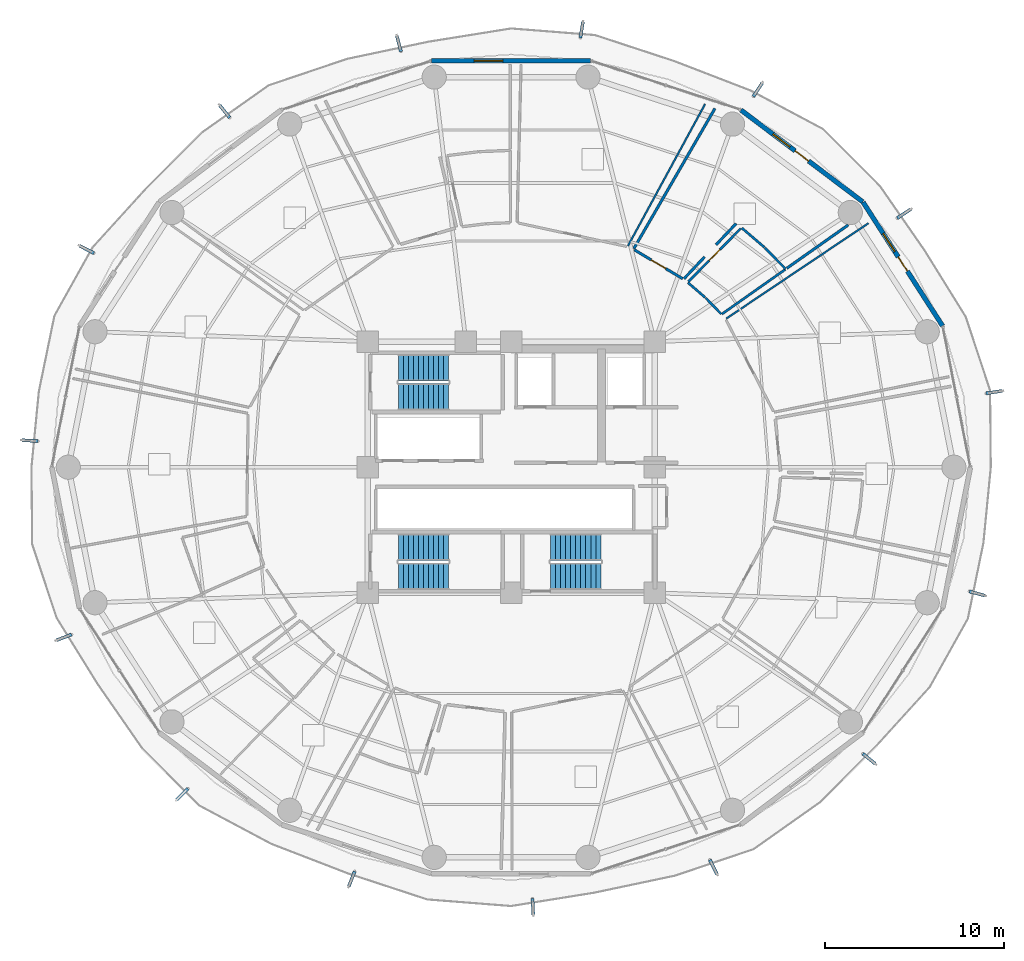
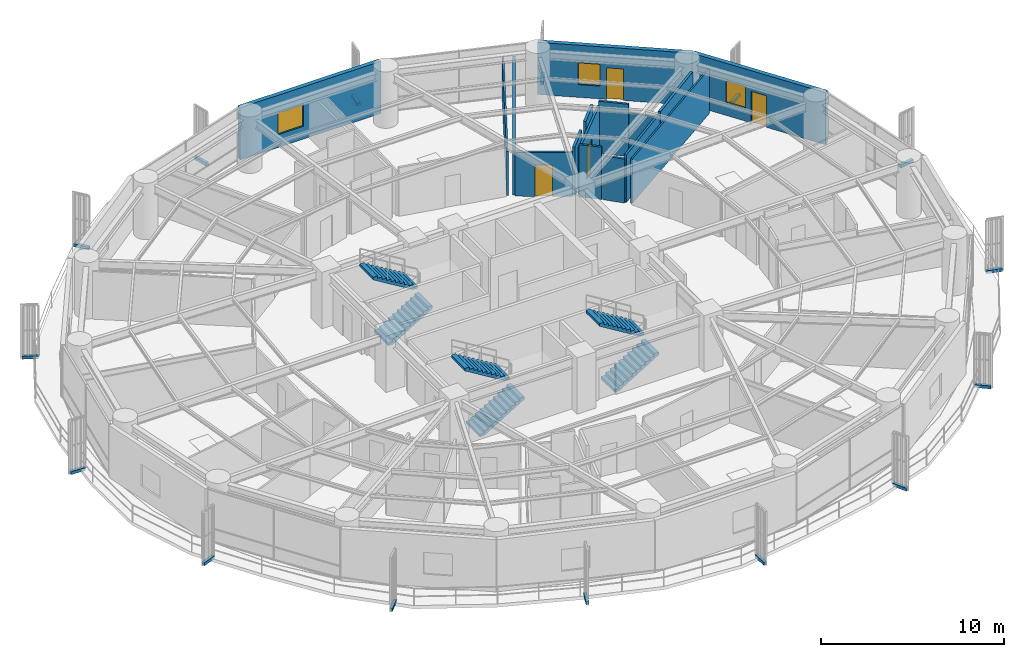
# One storey, part 32 of 35: 16 walls, 15 discrete accessories, 6 stair flights, 4 doors, 3 windows, 7 openings, 3 elements without a shape of their own.
"""IFC4 building model written with IfcOpenShell, lengths in metres."""

from ifc_helpers import new_model, si_unit, direction, frame, frame_2d, origin, origin_2d, place, context, subcontext, project, spatial, polyline, rectangle, outline, extrude, source, transform, mapped, material, layer, layer_set, type_object, element, fill, aggregate, save


model = new_model("IFC4")

# Units and contexts
model_context = context("Model", 3, precision=1e-05, world=origin(), true_north=direction((0.0, 1.0)))
body_context = subcontext(model_context, "Body", "Model", "MODEL_VIEW")
ifc_project = project(units=[si_unit("LENGTHUNIT", "METRE"), si_unit("AREAUNIT", "SQUARE_METRE"), si_unit("VOLUMEUNIT", "CUBIC_METRE"), si_unit("PLANEANGLEUNIT", "RADIAN"), si_unit("MASSUNIT", "GRAM", prefix="KILO")], contexts=[model_context])

# Site, building, storey
site_placement = place(None, origin())
site = spatial("IfcSite", under=ifc_project, at=site_placement, CompositionType="ELEMENT")
building_placement = place(site_placement, origin())
building = spatial("IfcBuilding", under=site, at=building_placement, Name="Kelanora Arch Commons", CompositionType="ELEMENT")
storey_placement = place(building_placement, frame((0.0, 0.0, 117.60009765625)))
storey = spatial("IfcBuildingStorey", under=building, at=storey_placement, Name="L30", CompositionType="ELEMENT", Elevation=117.60009765625)

# Wall, opening, door
ifc_material_1 = material(Name="Autoclaved aerated concrete blockwork with fire plaster", Category="masonry")
ifc_layer_1 = layer(ifc_material_1, 0.14990234375)
ifc_layer_set_1 = layer_set([ifc_layer_1], Name="Autoclaved aerated concrete blockwork with fire plaster")
wall_type_1 = type_object("IfcWallType", Name="W-COMP-150", PredefinedType="PARTITIONING", material=ifc_layer_set_1)
wall_1_placement = place(storey_placement, frame((83.5595703125, 68.509765625, 0.0), z_axis=(0.0, 0.0, 1.0), x_axis=(-0.858523244826, 0.512774646501, 0.0)))
wall_1 = element("IfcWall", 1, at=wall_1_placement, inside=storey, type_object=wall_type_1, Name="Co-Living Studio L30-01 Entry Partition", PredefinedType="PARTITIONING", context=body_context, shape_type="SweptSolid", body=[
    extrude(rectangle(XDim=3.130859375, YDim=0.14990234375, at=frame_2d((1.5654296875, 0.0))), origin(), (0.0, 0.0, 1.0), 2.9248046875),
])
opening_1_placement = place(wall_1_placement, frame((1.090087890625, 0.0, 0.0)))
opening_1 = element("IfcOpeningElement", 2, at=opening_1_placement, cuts=wall_1, Name="Opening D-CLU1", PredefinedType="OPENING", context=body_context, shape_type="SweptSolid", body=[
    extrude(rectangle(XDim=0.949951171875, YDim=2.080078125, at=frame_2d((0.47509765625, 1.0400390625))), frame((0.0, 0.0849609375, 0.0), z_axis=(0.0, -1.0, 0.0), x_axis=(1.0, 0.0, 0.0)), (0.0, 0.0, 1.0), 0.169921875),
])
ifc_material_2 = material(Name="Solid-core acoustic timber cluster entry fire door", Category="wood")
door_type_1 = type_object("IfcDoorType", Name="D-CLU-95", OperationType="NOTDEFINED", PredefinedType="DOOR", material=ifc_material_2)
door_1_placement = place(opening_1_placement, origin())
door_1 = element("IfcDoor", 3, at=door_1_placement, inside=storey, type_object=door_type_1, Name="Co-Living Studio L30-01 Door", OperationType="SINGLE_SWING_RIGHT", OverallHeight=2.080078125, OverallWidth=0.949951171875, PredefinedType="DOOR", context=body_context, shape_type="SweptSolid", body=[
    extrude(rectangle(XDim=0.949951171875, YDim=2.080078125, at=frame_2d((0.47509765625, 1.0400390625))), frame((0.0, 0.02490234375, 0.0), z_axis=(0.0, -1.0, 0.0), x_axis=(1.0, 0.0, 0.0)), (0.0, 0.0, 1.0), 0.050048828125),
])
fill(opening_1, door_1)

# Walls
wall_2_placement = place(storey_placement, frame((80.840087890625, 70.1806640625, 0.0), z_axis=(0.0, 0.0, 1.0), x_axis=(0.500668535271, 0.865639080558, 0.0)))
element("IfcWall", 4, at=wall_2_placement, inside=storey, type_object=wall_type_1, Name="Co-Living Studio L30-01 Enclosure Partition 2", PredefinedType="PARTITIONING", context=body_context, shape_type="SweptSolid", body=[
    extrude(rectangle(XDim=9.030029296875, YDim=0.14990234375, at=frame_2d((4.51513671875, 0.0))), origin(), (0.0, 0.0, 1.0), 2.9248046875),
])
wall_3_placement = place(storey_placement, frame((92.789794921875, 71.50244140625, 0.0), z_axis=(0.0, 0.0, 1.0), x_axis=(-0.817102044885, -0.576493060015, 0.0)))
element("IfcWall", 5, at=wall_3_placement, inside=storey, type_object=wall_type_1, Name="Co-Living Studio L30-01 Enclosure Partition 5", PredefinedType="PARTITIONING", context=body_context, shape_type="SweptSolid", body=[
    extrude(rectangle(XDim=4.1845703125, YDim=0.14990234375, at=frame_2d((2.09228515625, 0.0))), origin(), (0.0, 0.0, 1.0), 3.23486328125),
])
wall_4_placement = place(storey_placement, frame((86.53955078125, 71.579833984375, 0.0), z_axis=(0.0, 0.0, 1.0), x_axis=(-0.68661474407, -0.727021453071, 0.0)))
element("IfcWall", 6, at=wall_4_placement, inside=storey, type_object=wall_type_1, Name="Co-Living Studio L30-01 Enclosure Partition 7", PredefinedType="PARTITIONING", context=body_context, shape_type="SweptSolid", body=[
    extrude(rectangle(XDim=1.63134765625, YDim=0.14990234375, at=frame_2d((0.815673828125, 0.0))), origin(), (0.0, 0.0, 1.0), 3.1748046875),
])
wall_5_placement = place(storey_placement, frame((84.78759765625, 69.724853515625, 0.0), z_axis=(0.0, 0.0, 1.0), x_axis=(-0.686614966265, -0.727021243226, 0.0)))
element("IfcWall", 7, at=wall_5_placement, inside=storey, type_object=wall_type_1, Name="Co-Living Studio L30-01 Enclosure Partition 7", PredefinedType="PARTITIONING", context=body_context, shape_type="SweptSolid", body=[
    extrude(rectangle(XDim=1.673583984375, YDim=0.14990234375, at=frame_2d((0.8369140625, 0.0))), origin(), (0.0, 0.0, 1.0), 3.23486328125),
])

# Wall, openings, door, window
ifc_material_3 = material(Name="Precast concrete C40/50 with terracotta rainscreen", Category="masonry")
ifc_layer_2 = layer(ifc_material_3, 0.260009765625)
ifc_layer_set_2 = layer_set([ifc_layer_2], Name="Precast concrete C40/50 with terracotta rainscreen")
wall_type_2 = type_object("IfcWallType", Name="W-EXT-TC", PredefinedType="SOLIDWALL", material=ifc_layer_set_2)
wall_6_placement = place(storey_placement, frame((98.048095703125, 65.879150390625, 0.0), z_axis=(0.0, 0.0, 1.0), x_axis=(-0.540620528459, 0.841266571432, 0.0)))
wall_6 = element("IfcWall", 8, at=wall_6_placement, inside=storey, type_object=wall_type_2, Name="Terracotta Exterior Wall L30-B01", PredefinedType="SOLIDWALL", context=body_context, shape_type="SweptSolid", body=[
    extrude(rectangle(XDim=8.19287109375, YDim=0.260009765625, at=frame_2d((4.096435546875, 0.0))), origin(), (0.0, 0.0, 1.0), 3.474853515625),
])
opening_2_placement = place(wall_6_placement, frame((3.62109375, 0.0, 0.0)))
opening_2 = element("IfcOpeningElement", 9, at=opening_2_placement, cuts=wall_6, Name="Opening DB-01", PredefinedType="OPENING", context=body_context, shape_type="SweptSolid", body=[
    extrude(rectangle(XDim=0.949951171875, YDim=2.10009765625, at=frame_2d((0.47509765625, 1.050048828125))), frame((0.0, 0.14013671875, 0.0), z_axis=(0.0, -1.0, 0.0), x_axis=(1.0, 0.0, 0.0)), (0.0, 0.0, 1.0), 0.280029296875),
])
opening_3_placement = place(wall_6_placement, frame((4.9208984375, 0.0, 0.85009765625)))
opening_3 = element("IfcOpeningElement", 10, at=opening_3_placement, cuts=wall_6, Name="Opening WN-02", PredefinedType="OPENING", context=body_context, shape_type="SweptSolid", body=[
    extrude(rectangle(XDim=1.199951171875, YDim=1.449951171875, at=frame_2d((0.60009765625, 0.72509765625))), frame((0.0, 0.14013671875, 0.0), z_axis=(0.0, -1.0, 0.0), x_axis=(1.0, 0.0, 0.0)), (0.0, 0.0, 1.0), 0.280029296875),
])
ifc_material_4 = material(Name="Terracotta-aluminium thermally broken glazed balcony door", Category="masonry")
door_type_2 = type_object("IfcDoorType", Name="D-BAL-10", OperationType="NOTDEFINED", PredefinedType="DOOR", material=ifc_material_4)
door_2_placement = place(opening_2_placement, frame((0.949951171875, 0.0, 0.0), z_axis=(0.0, 0.0, 1.0), x_axis=(-1.0, 0.0, 0.0)))
door_2 = element("IfcDoor", 11, at=door_2_placement, inside=storey, type_object=door_type_2, Name="Wave Balcony Door L30-B01", OperationType="SINGLE_SWING_RIGHT", OverallHeight=2.10009765625, OverallWidth=0.949951171875, PredefinedType="DOOR", context=body_context, shape_type="SweptSolid", body=[
    extrude(rectangle(XDim=0.949951171875, YDim=2.10009765625, at=frame_2d((0.47509765625, 1.050048828125))), frame((0.0, 0.02490234375, 0.0), z_axis=(0.0, -1.0, 0.0), x_axis=(1.0, 0.0, 0.0)), (0.0, 0.0, 1.0), 0.050048828125),
])
fill(opening_2, door_2)
ifc_material_5 = material(Name="Terracotta-anodised aluminium frame with operable awning sash", Category="masonry")
window_type_1 = type_object("IfcWindowType", Name="WIN-CL-12", PartitioningType="SINGLE_PANEL", PredefinedType="WINDOW", material=ifc_material_5)
window_1_placement = place(opening_3_placement, origin())
window_1 = element("IfcWindow", 12, at=window_1_placement, inside=storey, type_object=window_type_1, Name="Co-Living Operable Window L30-B01", OverallHeight=1.449951171875, OverallWidth=1.199951171875, PartitioningType="SINGLE_PANEL", PredefinedType="WINDOW", context=body_context, shape_type="SweptSolid", body=[
    extrude(rectangle(XDim=1.199951171875, YDim=1.449951171875, at=frame_2d((0.60009765625, 0.72509765625))), frame((0.0, 0.030029296875, 0.0), z_axis=(0.0, -1.0, 0.0), x_axis=(1.0, 0.0, 0.0)), (0.0, 0.0, 1.0), 0.06005859375),
])
fill(opening_3, window_1)

wall_7_placement = place(storey_placement, frame((93.5986328125, 72.793212890625, 0.0), z_axis=(0.0, 0.0, 1.0), x_axis=(-0.798501507879, 0.601992808857, 0.0)))
wall_7 = element("IfcWall", 13, at=wall_7_placement, inside=storey, type_object=wall_type_2, Name="Terracotta Exterior Wall L30-B02", PredefinedType="SOLIDWALL", context=body_context, shape_type="SweptSolid", body=[
    extrude(rectangle(XDim=8.499267578125, YDim=0.260009765625, at=frame_2d((4.24951171875, 0.0))), origin(), (0.0, 0.0, 1.0), 3.474853515625),
])
opening_4_placement = place(wall_7_placement, frame((3.77490234375, 0.0, 0.0)))
opening_4 = element("IfcOpeningElement", 14, at=opening_4_placement, cuts=wall_7, Name="Opening DB-01", PredefinedType="OPENING", context=body_context, shape_type="SweptSolid", body=[
    extrude(rectangle(XDim=0.949951171875, YDim=2.10009765625, at=frame_2d((0.47509765625, 1.050048828125))), frame((0.0, 0.14013671875, 0.0), z_axis=(0.0, -1.0, 0.0), x_axis=(1.0, 0.0, 0.0)), (0.0, 0.0, 1.0), 0.280029296875),
])
opening_5_placement = place(wall_7_placement, frame((5.074951171875, 0.0, 0.85009765625)))
opening_5 = element("IfcOpeningElement", 15, at=opening_5_placement, cuts=wall_7, Name="Opening WN-02", PredefinedType="OPENING", context=body_context, shape_type="SweptSolid", body=[
    extrude(rectangle(XDim=1.199951171875, YDim=1.449951171875, at=frame_2d((0.60009765625, 0.72509765625))), frame((0.0, 0.14013671875, 0.0), z_axis=(0.0, -1.0, 0.0), x_axis=(1.0, 0.0, 0.0)), (0.0, 0.0, 1.0), 0.280029296875),
])
door_3_placement = place(opening_4_placement, frame((0.949951171875, 0.0, 0.0), z_axis=(0.0, 0.0, 1.0), x_axis=(-1.0, 0.0, 0.0)))
door_3 = element("IfcDoor", 16, at=door_3_placement, inside=storey, type_object=door_type_2, Name="Wave Balcony Door L30-B02", OperationType="SINGLE_SWING_LEFT", OverallHeight=2.10009765625, OverallWidth=0.949951171875, PredefinedType="DOOR", context=body_context, shape_type="SweptSolid", body=[
    extrude(rectangle(XDim=0.949951171875, YDim=2.10009765625, at=frame_2d((0.47509765625, 1.050048828125))), frame((0.0, 0.02490234375, 0.0), z_axis=(0.0, -1.0, 0.0), x_axis=(1.0, 0.0, 0.0)), (0.0, 0.0, 1.0), 0.050048828125),
])
fill(opening_4, door_3)
window_2_placement = place(opening_5_placement, origin())
window_2 = element("IfcWindow", 17, at=window_2_placement, inside=storey, type_object=window_type_1, Name="Co-Living Operable Window L30-B02", OverallHeight=1.449951171875, OverallWidth=1.199951171875, PartitioningType="SINGLE_PANEL", PredefinedType="WINDOW", context=body_context, shape_type="SweptSolid", body=[
    extrude(rectangle(XDim=1.199951171875, YDim=1.449951171875, at=frame_2d((0.60009765625, 0.72509765625))), frame((0.0, 0.030029296875, 0.0), z_axis=(0.0, -1.0, 0.0), x_axis=(1.0, 0.0, 0.0)), (0.0, 0.0, 1.0), 0.06005859375),
])
fill(opening_5, window_2)

# Wall, opening, window
wall_8_placement = place(storey_placement, frame((78.430419921875, 80.650634765625, 0.0), z_axis=(0.0, 0.0, 1.0), x_axis=(-1.0, 0.0, 0.0)))
wall_8 = element("IfcWall", 18, at=wall_8_placement, inside=storey, type_object=wall_type_2, Name="Terracotta Exterior Wall L30-B04", PredefinedType="SOLIDWALL", context=body_context, shape_type="SweptSolid", body=[
    extrude(rectangle(XDim=8.86083984375, YDim=0.260009765625, at=frame_2d((4.430419921875, 0.0))), origin(), (0.0, 0.0, 1.0), 3.474853515625),
])
opening_6_placement = place(wall_8_placement, frame((4.889892578125, 0.0, 0.85009765625)))
opening_6 = element("IfcOpeningElement", 19, at=opening_6_placement, cuts=wall_8, Name="Opening WN-01", PredefinedType="OPENING", context=body_context, shape_type="SweptSolid", body=[
    extrude(rectangle(XDim=1.60009765625, YDim=1.449951171875, at=frame_2d((0.800048828125, 0.72509765625))), frame((0.0, 0.14013671875, 0.0), z_axis=(0.0, -1.0, 0.0), x_axis=(1.0, 0.0, 0.0)), (0.0, 0.0, 1.0), 0.280029296875),
])
ifc_material_6 = material(Name="Terracotta-anodised aluminium frame with operable low-E glazing", Category="masonry")
window_type_2 = type_object("IfcWindowType", Name="WIN-CL-18", PartitioningType="DOUBLE_PANEL_VERTICAL", PredefinedType="WINDOW", material=ifc_material_6)
window_3_placement = place(opening_6_placement, origin())
window_3 = element("IfcWindow", 20, at=window_3_placement, inside=storey, type_object=window_type_2, Name="Co-Living Operable Window L30-B04", OverallHeight=1.449951171875, OverallWidth=1.60009765625, PartitioningType="SINGLE_PANEL", PredefinedType="WINDOW", context=body_context, shape_type="SweptSolid", body=[
    extrude(rectangle(XDim=1.60009765625, YDim=1.449951171875, at=frame_2d((0.800048828125, 0.72509765625))), frame((0.0, 0.030029296875, 0.0), z_axis=(0.0, -1.0, 0.0), x_axis=(1.0, 0.0, 0.0)), (0.0, 0.0, 1.0), 0.06005859375),
])
fill(opening_6, window_3)

# Walls
ifc_material_7 = material(Name="Lightweight fire-rated acoustic stud partition")
ifc_layer_3 = layer(ifc_material_7, 0.10009765625)
ifc_layer_set_3 = layer_set([ifc_layer_3], Name="Lightweight fire-rated acoustic stud partition")
wall_type_3 = type_object("IfcWallType", Name="W-PART-100", PredefinedType="PARTITIONING", material=ifc_layer_set_3)
wall_9_placement = place(storey_placement, frame((84.81201171875, 78.240966796875, 0.0), z_axis=(0.0, 0.0, 1.0), x_axis=(-0.477645693392, -0.878552554822, 0.0)))
element("IfcWall", 21, at=wall_9_placement, inside=storey, type_object=wall_type_3, Name="Communal Dining and Social Hall L30-02 Enclosure Partition 4", PredefinedType="PARTITIONING", context=body_context, shape_type="SweptSolid", body=[
    extrude(rectangle(XDim=9.006591796875, YDim=0.10009765625, at=frame_2d((4.50341796875, 0.0))), origin(), (0.0, 0.0, 1.0), 2.9248046875),
])
wall_10_placement = place(storey_placement, frame((85.9892578125, 66.2822265625, 0.0), z_axis=(0.0, 0.0, 1.0), x_axis=(0.830433607217, 0.557117603388, 0.0)))
element("IfcWall", 22, at=wall_10_placement, inside=storey, type_object=wall_type_3, Name="Communal Dining and Social Hall L30-14 Enclosure Partition 2", PredefinedType="PARTITIONING", context=body_context, shape_type="SweptSolid", body=[
    extrude(rectangle(XDim=9.546142578125, YDim=0.10009765625, at=frame_2d((4.77294921875, 0.0))), origin(), (0.0, 0.0, 1.0), 2.974853515625),
])

# Wall, opening, door
ifc_material_8 = material(Name="Moisture-resistant fire-rated cement-board plumbing wall")
ifc_layer_4 = layer(ifc_material_8, 0.1298828125)
ifc_layer_set_4 = layer_set([ifc_layer_4], Name="Moisture-resistant fire-rated cement-board plumbing wall")
wall_type_4 = type_object("IfcWallType", Name="W-WET-120", PredefinedType="PLUMBINGWALL", material=ifc_layer_set_4)
wall_11_placement = place(storey_placement, frame((83.883056640625, 68.3447265625, 0.0), z_axis=(0.0, 0.0, 1.0), x_axis=(0.70168270288, 0.712489567979, 0.0)))
wall_11 = element("IfcWall", 23, at=wall_11_placement, inside=storey, type_object=wall_type_4, Name="En-Suite Shower WC L30-01 Entry Partition", PredefinedType="PLUMBINGWALL", context=body_context, shape_type="SweptSolid", body=[
    extrude(rectangle(XDim=4.15673828125, YDim=0.1298828125, at=frame_2d((2.078369140625, 0.0))), origin(), (0.0, 0.0, 1.0), 3.1748046875),
])
opening_7_placement = place(wall_11_placement, frame((1.64794921875, 0.0, 0.0)))
opening_7 = element("IfcOpeningElement", 24, at=opening_7_placement, cuts=wall_11, Name="Opening D-BT1", PredefinedType="OPENING", context=body_context, shape_type="SweptSolid", body=[
    extrude(rectangle(XDim=0.860107421875, YDim=2.050048828125, at=frame_2d((0.43017578125, 1.02490234375))), frame((0.0, 0.074951171875, 0.0), z_axis=(0.0, -1.0, 0.0), x_axis=(1.0, 0.0, 0.0)), (0.0, 0.0, 1.0), 0.14990234375),
])
ifc_material_9 = material(Name="Moisture-sealed fire-rated accessible bathroom door")
door_type_3 = type_object("IfcDoorType", Name="D-BATH-85", OperationType="NOTDEFINED", PredefinedType="DOOR", material=ifc_material_9)
door_4_placement = place(opening_7_placement, origin())
door_4 = element("IfcDoor", 25, at=door_4_placement, inside=storey, type_object=door_type_3, Name="En-Suite Shower WC L30-01 Door", OperationType="SINGLE_SWING_LEFT", OverallHeight=2.050048828125, OverallWidth=0.860107421875, PredefinedType="DOOR", context=body_context, shape_type="SweptSolid", body=[
    extrude(rectangle(XDim=0.860107421875, YDim=2.050048828125, at=frame_2d((0.43017578125, 1.02490234375))), frame((0.0, 0.02490234375, 0.0), z_axis=(0.0, -1.0, 0.0), x_axis=(1.0, 0.0, 0.0)), (0.0, 0.0, 1.0), 0.050048828125),
])
fill(opening_7, door_4)

# Walls
wall_12_placement = place(storey_placement, frame((85.716064453125, 66.536376953125, 0.0), z_axis=(0.0, 0.0, 1.0), x_axis=(-0.695817197704, 0.718218927194, 0.0)))
element("IfcWall", 26, at=wall_12_placement, inside=storey, type_object=wall_type_4, Name="En-Suite Shower WC L30-01 Enclosure Partition 1", PredefinedType="PLUMBINGWALL", context=body_context, shape_type="SweptSolid", body=[
    extrude(rectangle(XDim=1.25341796875, YDim=0.1298828125, at=frame_2d((0.626708984375, 0.0))), origin(), (0.0, 0.0, 1.0), 2.9248046875),
])
wall_13_placement = place(storey_placement, frame((84.814697265625, 67.464111328125, 0.0), z_axis=(0.0, 0.0, 1.0), x_axis=(-0.757933178543, 0.652332198242, 0.0)))
element("IfcWall", 27, at=wall_13_placement, inside=storey, type_object=wall_type_4, Name="En-Suite Shower WC L30-01 Enclosure Partition 2", PredefinedType="PLUMBINGWALL", context=body_context, shape_type="SweptSolid", body=[
    extrude(rectangle(XDim=1.2646484375, YDim=0.1298828125, at=frame_2d((0.63232421875, 0.0))), origin(), (0.0, 0.0, 1.0), 3.47998046875),
])
wall_14_placement = place(storey_placement, frame((86.857177734375, 71.3359375, 0.0), z_axis=(0.0, 0.0, 1.0), x_axis=(0.760056789813, -0.649856658241, 0.0)))
element("IfcWall", 28, at=wall_14_placement, inside=storey, type_object=wall_type_4, Name="En-Suite Shower WC L30-01 Enclosure Partition 4", PredefinedType="PLUMBINGWALL", context=body_context, shape_type="SweptSolid", body=[
    extrude(rectangle(XDim=1.6572265625, YDim=0.1298828125, at=frame_2d((0.82861328125, 0.0))), origin(), (0.0, 0.0, 1.0), 3.47998046875),
])
wall_15_placement = place(storey_placement, frame((88.14599609375, 70.231689453125, 0.0), z_axis=(0.0, 0.0, 1.0), x_axis=(0.698431593966, -0.715676818508, 0.0)))
element("IfcWall", 29, at=wall_15_placement, inside=storey, type_object=wall_type_4, Name="En-Suite Shower WC L30-01 Enclosure Partition 5", PredefinedType="PLUMBINGWALL", context=body_context, shape_type="SweptSolid", body=[
    extrude(rectangle(XDim=1.64208984375, YDim=0.1298828125, at=frame_2d((0.821044921875, 0.0))), origin(), (0.0, 0.0, 1.0), 2.9248046875),
])
wall_16_placement = place(storey_placement, frame((89.290771484375, 69.030517578125, 0.0), z_axis=(0.0, 0.0, 1.0), x_axis=(-0.817498099131, -0.575931296178, 0.0)))
element("IfcWall", 30, at=wall_16_placement, inside=storey, type_object=wall_type_4, Name="En-Suite Shower WC L30-01 Enclosure Partition 6", PredefinedType="PLUMBINGWALL", context=body_context, shape_type="SweptSolid", body=[
    extrude(rectangle(XDim=4.335693359375, YDim=0.1298828125, at=frame_2d((2.16796875, 0.0))), origin(), (0.0, 0.0, 1.0), 3.1748046875),
])

# Stair, stair flights
ifc_material_10 = material(Name="Concrete C40/50", Category="concrete")
stair_type = type_object("IfcStairType", Name="STR-DL-375", PredefinedType="HALF_TURN_STAIR", material=ifc_material_10)
stair_1_placement = place(storey_placement, origin())
stair_1 = element("IfcStair", 31, at=stair_1_placement, inside=storey, type_object=stair_type, Name="L30 ST-T1", PredefinedType="HALF_TURN_STAIR")
stair_flight_type = type_object("IfcStairFlightType", Name="FLT-DL-375", PredefinedType="STRAIGHT", material=ifc_material_10)
stair_flight_1_placement = place(storey_placement, frame((67.719970703125, 61.919921875, 0.0), z_axis=(0.0, 0.0, 1.0), x_axis=(1.0, 0.0, 0.0)))
stair_flight_1 = element("IfcStairFlight", 32, at=stair_flight_1_placement, type_object=stair_flight_type, Name="ST-T1 flight 1", NumberOfRisers=11, NumberOfTreads=10, PredefinedType="STRAIGHT", RiserHeight=0.170454545, TreadLength=0.28, context=body_context, shape_type="SweptSolid", body=[
    extrude(outline(polyline([(0.0, 0.0), (0.0, 0.17041015625), (0.280029296875, 0.17041015625), (0.280029296875, 0.3408203125), (0.56005859375, 0.3408203125), (0.56005859375, 0.511474609375), (0.840087890625, 0.511474609375), (0.840087890625, 0.681884765625), (1.1201171875, 0.681884765625), (1.1201171875, 0.852294921875), (1.39990234375, 0.852294921875), (1.39990234375, 1.022705078125), (1.679931640625, 1.022705078125), (1.679931640625, 1.193115234375), (1.9599609375, 1.193115234375), (1.9599609375, 1.363525390625), (2.239990234375, 1.363525390625), (2.239990234375, 1.5341796875), (2.52001953125, 1.5341796875), (2.52001953125, 1.70458984375), (2.800048828125, 1.70458984375), (2.800048828125, 1.875), (2.800048828125, 1.529052734375), (0.288330078125, 0.0), (0.0, 0.0)])), frame((0.0, 0.739990234375, 0.0), z_axis=(0.0, -1.0, 0.0), x_axis=(1.0, 0.0, 0.0)), (0.0, 0.0, 1.0), 1.47998046875),
])
stair_flight_2_placement = place(storey_placement, frame((70.52001953125, 63.550048828125, 1.875), z_axis=(0.0, 0.0, 1.0), x_axis=(-1.0, 0.0, 0.0)))
stair_flight_2 = element("IfcStairFlight", 33, at=stair_flight_2_placement, type_object=stair_flight_type, Name="ST-T1 flight 2", NumberOfRisers=11, NumberOfTreads=10, PredefinedType="STRAIGHT", RiserHeight=0.170454545, TreadLength=0.28, context=body_context, shape_type="SweptSolid", body=[
    extrude(outline(polyline([(0.0, 0.0), (0.0, 0.17041015625), (0.280029296875, 0.17041015625), (0.280029296875, 0.3408203125), (0.56005859375, 0.3408203125), (0.56005859375, 0.511474609375), (0.840087890625, 0.511474609375), (0.840087890625, 0.681884765625), (1.1201171875, 0.681884765625), (1.1201171875, 0.852294921875), (1.39990234375, 0.852294921875), (1.39990234375, 1.022705078125), (1.679931640625, 1.022705078125), (1.679931640625, 1.193115234375), (1.9599609375, 1.193115234375), (1.9599609375, 1.363525390625), (2.239990234375, 1.363525390625), (2.239990234375, 1.5341796875), (2.52001953125, 1.5341796875), (2.52001953125, 1.70458984375), (2.800048828125, 1.70458984375), (2.800048828125, 1.875), (2.800048828125, 1.529052734375), (0.288330078125, 0.0), (0.0, 0.0)])), frame((0.0, 0.739990234375, 0.0), z_axis=(0.0, -1.0, 0.0), x_axis=(1.0, 0.0, 0.0)), (0.0, 0.0, 1.0), 1.47998046875),
])
aggregate(stair_1, [stair_flight_1, stair_flight_2])

stair_2_placement = place(storey_placement, origin())
stair_2 = element("IfcStair", 34, at=stair_2_placement, inside=storey, type_object=stair_type, Name="L30 ST-T2", PredefinedType="HALF_TURN_STAIR")
stair_flight_3_placement = place(storey_placement, frame((76.199951171875, 51.919921875, 0.0), z_axis=(0.0, 0.0, 1.0), x_axis=(1.0, 0.0, 0.0)))
stair_flight_3 = element("IfcStairFlight", 35, at=stair_flight_3_placement, type_object=stair_flight_type, Name="ST-T2 flight 1", NumberOfRisers=11, NumberOfTreads=10, PredefinedType="STRAIGHT", RiserHeight=0.170454545, TreadLength=0.28, context=body_context, shape_type="SweptSolid", body=[
    extrude(outline(polyline([(0.0, 0.0), (0.0, 0.17041015625), (0.280029296875, 0.17041015625), (0.280029296875, 0.3408203125), (0.56005859375, 0.3408203125), (0.56005859375, 0.511474609375), (0.840087890625, 0.511474609375), (0.840087890625, 0.681884765625), (1.1201171875, 0.681884765625), (1.1201171875, 0.852294921875), (1.39990234375, 0.852294921875), (1.39990234375, 1.022705078125), (1.679931640625, 1.022705078125), (1.679931640625, 1.193115234375), (1.9599609375, 1.193115234375), (1.9599609375, 1.363525390625), (2.239990234375, 1.363525390625), (2.239990234375, 1.5341796875), (2.52001953125, 1.5341796875), (2.52001953125, 1.70458984375), (2.800048828125, 1.70458984375), (2.800048828125, 1.875), (2.800048828125, 1.529052734375), (0.288330078125, 0.0), (0.0, 0.0)])), frame((0.0, 0.739990234375, 0.0), z_axis=(0.0, -1.0, 0.0), x_axis=(1.0, 0.0, 0.0)), (0.0, 0.0, 1.0), 1.47998046875),
])
stair_flight_4_placement = place(storey_placement, frame((79.0, 53.550048828125, 1.875), z_axis=(0.0, 0.0, 1.0), x_axis=(-1.0, 0.0, 0.0)))
stair_flight_4 = element("IfcStairFlight", 36, at=stair_flight_4_placement, type_object=stair_flight_type, Name="ST-T2 flight 2", NumberOfRisers=11, NumberOfTreads=10, PredefinedType="STRAIGHT", RiserHeight=0.170454545, TreadLength=0.28, context=body_context, shape_type="SweptSolid", body=[
    extrude(outline(polyline([(0.0, 0.0), (0.0, 0.17041015625), (0.280029296875, 0.17041015625), (0.280029296875, 0.3408203125), (0.56005859375, 0.3408203125), (0.56005859375, 0.511474609375), (0.840087890625, 0.511474609375), (0.840087890625, 0.681884765625), (1.1201171875, 0.681884765625), (1.1201171875, 0.852294921875), (1.39990234375, 0.852294921875), (1.39990234375, 1.022705078125), (1.679931640625, 1.022705078125), (1.679931640625, 1.193115234375), (1.9599609375, 1.193115234375), (1.9599609375, 1.363525390625), (2.239990234375, 1.363525390625), (2.239990234375, 1.5341796875), (2.52001953125, 1.5341796875), (2.52001953125, 1.70458984375), (2.800048828125, 1.70458984375), (2.800048828125, 1.875), (2.800048828125, 1.529052734375), (0.288330078125, 0.0), (0.0, 0.0)])), frame((0.0, 0.739990234375, 0.0), z_axis=(0.0, -1.0, 0.0), x_axis=(1.0, 0.0, 0.0)), (0.0, 0.0, 1.0), 1.47998046875),
])
aggregate(stair_2, [stair_flight_3, stair_flight_4])

stair_3_placement = place(storey_placement, origin())
stair_3 = element("IfcStair", 37, at=stair_3_placement, inside=storey, type_object=stair_type, Name="L30 ST-T3", PredefinedType="HALF_TURN_STAIR")
stair_flight_5_placement = place(storey_placement, frame((67.719970703125, 51.919921875, 0.0), z_axis=(0.0, 0.0, 1.0), x_axis=(1.0, 0.0, 0.0)))
stair_flight_5 = element("IfcStairFlight", 38, at=stair_flight_5_placement, type_object=stair_flight_type, Name="ST-T3 flight 1", NumberOfRisers=11, NumberOfTreads=10, PredefinedType="STRAIGHT", RiserHeight=0.170454545, TreadLength=0.28, context=body_context, shape_type="SweptSolid", body=[
    extrude(outline(polyline([(0.0, 0.0), (0.0, 0.17041015625), (0.280029296875, 0.17041015625), (0.280029296875, 0.3408203125), (0.56005859375, 0.3408203125), (0.56005859375, 0.511474609375), (0.840087890625, 0.511474609375), (0.840087890625, 0.681884765625), (1.1201171875, 0.681884765625), (1.1201171875, 0.852294921875), (1.39990234375, 0.852294921875), (1.39990234375, 1.022705078125), (1.679931640625, 1.022705078125), (1.679931640625, 1.193115234375), (1.9599609375, 1.193115234375), (1.9599609375, 1.363525390625), (2.239990234375, 1.363525390625), (2.239990234375, 1.5341796875), (2.52001953125, 1.5341796875), (2.52001953125, 1.70458984375), (2.800048828125, 1.70458984375), (2.800048828125, 1.875), (2.800048828125, 1.529052734375), (0.288330078125, 0.0), (0.0, 0.0)])), frame((0.0, 0.739990234375, 0.0), z_axis=(0.0, -1.0, 0.0), x_axis=(1.0, 0.0, 0.0)), (0.0, 0.0, 1.0), 1.47998046875),
])
stair_flight_6_placement = place(storey_placement, frame((70.52001953125, 53.550048828125, 1.875), z_axis=(0.0, 0.0, 1.0), x_axis=(-1.0, 0.0, 0.0)))
stair_flight_6 = element("IfcStairFlight", 39, at=stair_flight_6_placement, type_object=stair_flight_type, Name="ST-T3 flight 2", NumberOfRisers=11, NumberOfTreads=10, PredefinedType="STRAIGHT", RiserHeight=0.170454545, TreadLength=0.28, context=body_context, shape_type="SweptSolid", body=[
    extrude(outline(polyline([(0.0, 0.0), (0.0, 0.17041015625), (0.280029296875, 0.17041015625), (0.280029296875, 0.3408203125), (0.56005859375, 0.3408203125), (0.56005859375, 0.511474609375), (0.840087890625, 0.511474609375), (0.840087890625, 0.681884765625), (1.1201171875, 0.681884765625), (1.1201171875, 0.852294921875), (1.39990234375, 0.852294921875), (1.39990234375, 1.022705078125), (1.679931640625, 1.022705078125), (1.679931640625, 1.193115234375), (1.9599609375, 1.193115234375), (1.9599609375, 1.363525390625), (2.239990234375, 1.363525390625), (2.239990234375, 1.5341796875), (2.52001953125, 1.5341796875), (2.52001953125, 1.70458984375), (2.800048828125, 1.70458984375), (2.800048828125, 1.875), (2.800048828125, 1.529052734375), (0.288330078125, 0.0), (0.0, 0.0)])), frame((0.0, 0.739990234375, 0.0), z_axis=(0.0, -1.0, 0.0), x_axis=(1.0, 0.0, 0.0)), (0.0, 0.0, 1.0), 1.47998046875),
])
aggregate(stair_3, [stair_flight_5, stair_flight_6])

# Discrete accessories
ifc_material_11 = material(Name="Stainless steel 316 marine fin bracket", Category="steel")
discrete_accessory_type = type_object("IfcDiscreteAccessoryType", Name="ACC-FIN-BRK", PredefinedType="BRACKET", material=ifc_material_11)
shared_shape = source(origin(), body_context, "Body", "SweptSolid", [
    extrude(rectangle(XDim=0.897705078125, YDim=0.179931640625, at=origin_2d()), origin(), (0.0, 0.0, 1.0), 0.199951171875),
])
for number, where, z_axis, x_axis, name in (
    (40, (95.89990234375, 72.133544921875, -0.16015625), (0.0, 0.0, 1.0), (0.840188215011, 0.542294904417, 0.0), "Sweeping Fin Cantilever Spine Bracket L30-00"),
    (41, (87.75048828125, 79.04248046875, -0.16015625), (0.0, 0.0, 1.0), (0.546978918409, 0.837146380758, 0.0), "Sweeping Fin Cantilever Spine Bracket L30-01"),
    (42, (77.931884765625, 82.37646484375, -0.16015625), (0.0, 0.0, 1.0), (0.159191997666, 0.98724764263, 0.0), "Sweeping Fin Cantilever Spine Bracket L30-02"),
    (43, (67.7470703125, 81.6044921875, -0.16015625), (0.0, 0.0, 1.0), (-0.256120665687, 0.966644818229, 0.0), "Sweeping Fin Cantilever Spine Bracket L30-03"),
    (44, (58.0341796875, 77.831298828125, -0.16015625), (0.0, 0.0, 1.0), (-0.62714773916, 0.778900323063, 0.0), "Sweeping Fin Cantilever Spine Bracket L30-04"),
    (45, (50.3447265625, 70.1376953125, -0.16015625), (0.0, 0.0, 1.0), (-0.889735271073, 0.456476885952, 0.0), "Sweeping Fin Cantilever Spine Bracket L30-05"),
    (46, (47.17919921875, 59.482177734375, -0.16015625), (0.0, 0.0, 1.0), (-0.998479491627, 0.055124448298, 0.0), "Sweeping Fin Cantilever Spine Bracket L30-06"),
    (47, (49.080078125, 48.515380859375, -0.16015625), (0.0, 0.0, 1.0), (-0.934577537177, -0.355759507257, 0.0), "Sweeping Fin Cantilever Spine Bracket L30-07"),
    (48, (55.670166015625, 39.774169921875, -0.16015625), (0.0, 0.0, 1.0), (-0.709078636179, -0.705129412033, 0.0), "Sweeping Fin Cantilever Spine Bracket L30-08"),
    (49, (65.1162109375, 35.05224609375, -0.16015625), (0.0, 0.0, 1.0), (-0.360973597208, -0.93257603557, 0.0), "Sweeping Fin Cantilever Spine Bracket L30-09"),
    (50, (75.213623046875, 33.507568359375, -0.16015625), (0.0, 0.0, 1.0), (0.049547056062, -0.998771790368, 0.0), "Sweeping Fin Cantilever Spine Bracket L30-10"),
    (51, (85.273193359375, 35.718994140625, -0.16015625), (0.0, 0.0, 1.0), (0.451500573218, -0.892270829056, 0.0), "Sweeping Fin Cantilever Spine Bracket L30-11"),
    (52, (93.951904296875, 41.748779296875, -0.16015625), (0.0, 0.0, 1.0), (0.775385539511, -0.631488135373, 0.0), "Sweeping Fin Cantilever Spine Bracket L30-12"),
    (53, (99.977294921875, 50.960205078125, -0.16015625), (0.0, 0.0, 1.0), (0.965199301866, -0.261515406195, 0.0), "Sweeping Fin Cantilever Spine Bracket L30-13"),
    (54, (100.92236328125, 62.185791015625, -0.16015625), (0.0, 0.0, 1.0), (0.988121336368, 0.153675712507, 0.0), "Sweeping Fin Cantilever Spine Bracket L30-14"),
):
    element("IfcDiscreteAccessory", number, at=place(storey_placement, frame(where, z_axis=z_axis, x_axis=x_axis)), inside=storey, type_object=discrete_accessory_type, Name=name, PredefinedType="BRACKET", context=body_context, shape_type="MappedRepresentation", body=[
        mapped(shared_shape, transform((0.0, 0.0, 0.0), scale=1.0)),
    ])

save(model, "model.ifc")
